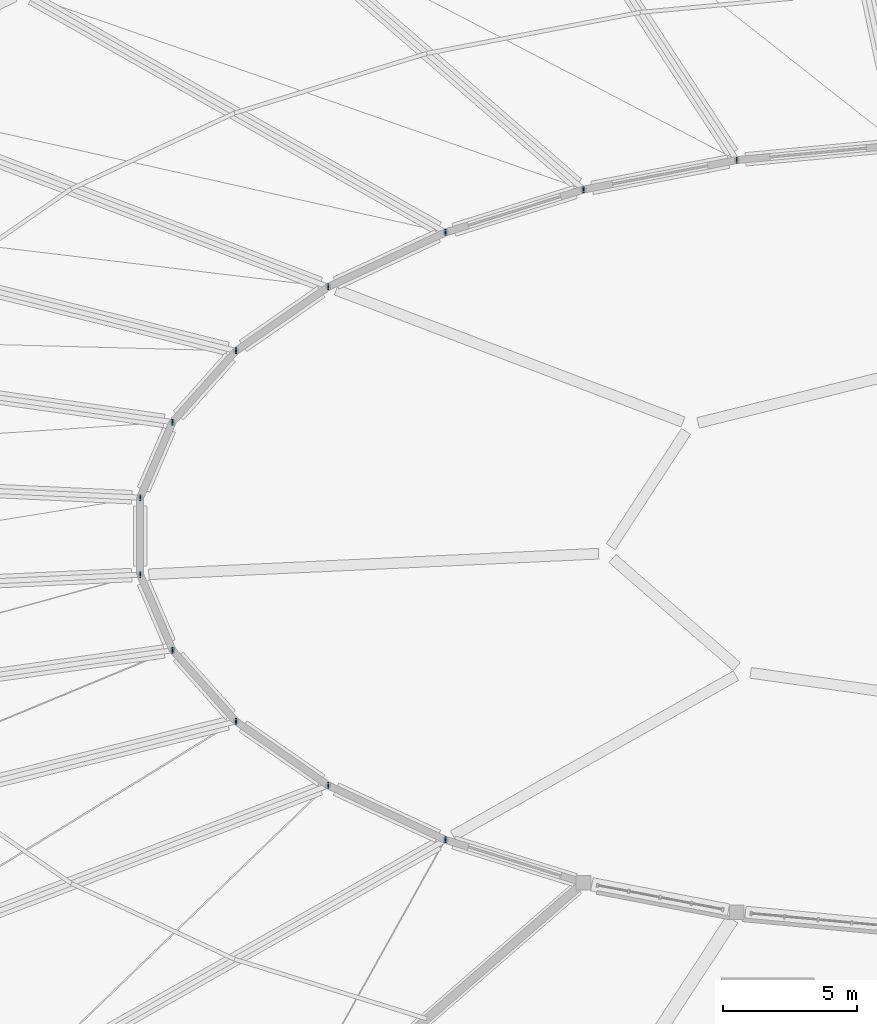
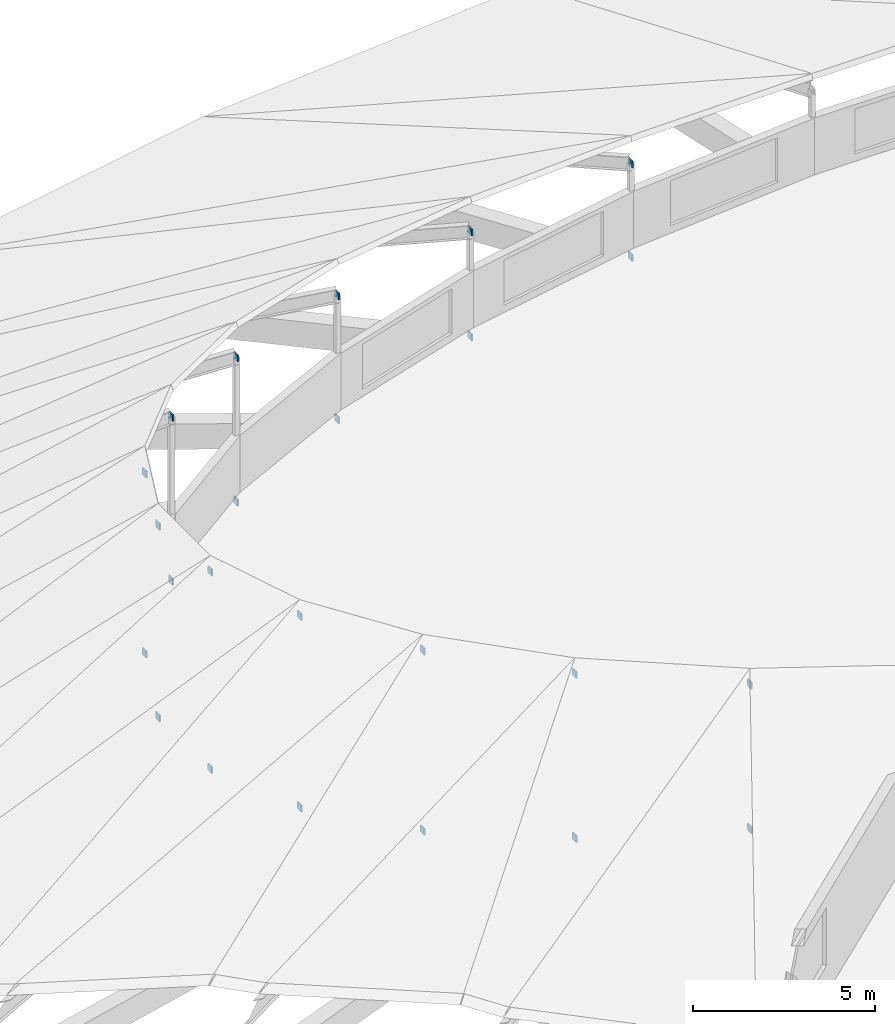
# One storey, part 93 of 142: 24 plates.
"""IFC4 building model written with IfcOpenShell, lengths in metres."""

from ifc_helpers import new_model, si_unit, direction, frame, origin, origin_2d, place, context, subcontext, project, spatial, rectangle, extrude, material, layer, layer_set, type_object, element, save


model = new_model("IFC4")

# Units and contexts
model_context = context("Model", 3, precision=1e-05, world=origin(), true_north=direction((0.0, 1.0)))
body_context = subcontext(model_context, "Body", "Model", "MODEL_VIEW")
ifc_project = project(units=[si_unit("LENGTHUNIT", "METRE"), si_unit("AREAUNIT", "SQUARE_METRE"), si_unit("VOLUMEUNIT", "CUBIC_METRE"), si_unit("PLANEANGLEUNIT", "RADIAN"), si_unit("MASSUNIT", "GRAM", prefix="KILO")], contexts=[model_context])

# Site, building, storey
site_placement = place(None, origin())
site = spatial("IfcSite", under=ifc_project, at=site_placement, CompositionType="ELEMENT")
building_placement = place(site_placement, origin())
building = spatial("IfcBuilding", under=site, at=building_placement, Name="Corvandel Quay Wholesale Market", CompositionType="ELEMENT")
storey_placement = place(building_placement, frame((0.0, 0.0, 10.800048828125)))
storey = spatial("IfcBuildingStorey", under=building, at=storey_placement, Name="L02", CompositionType="ELEMENT", Elevation=10.800048828125)

# Plates
ifc_material = material(Name="Steel A572 Grade 50", Category="steel")
ifc_layer = layer(ifc_material, 0.044921875)
ifc_layer_set = layer_set([ifc_layer], Name="Steel A572 Grade 50")
plate_type = type_object("IfcPlateType", Name="Steel Brace End Cap Plate PLT02 45mm", PredefinedType="SHEET", material=ifc_layer_set)
for number, where, z_axis, x_axis, name in (
    (1, (104.85302734375, 130.0, -0.4482421875), (0.0, 0.0, 1.0), (0.0, 1.0, 0.0), "HSS Cap Plate PLT-0007"),
    (2, (104.85302734375, 130.0, 2.68212890625), (0.0, 0.0, 1.0), (0.0, 1.0, 0.0), "HSS Cap Plate PLT-0008"),
    (3, (99.14501953125, 128.903076171875, -0.4482421875), (0.0, 0.0, 1.0), (0.0, 1.0, 0.0), "HSS Cap Plate PLT-0009"),
    (4, (99.14501953125, 128.903076171875, 3.06884765625), (0.0, 0.0, 1.0), (0.0, 1.0, 0.0), "HSS Cap Plate PLT-0010"),
    (5, (94.009033203125, 127.30908203125, -0.4482421875), (0.0, 0.0, 1.0), (0.0, 1.0, 0.0), "HSS Cap Plate PLT-0011"),
    (6, (94.009033203125, 127.30908203125, 3.68994140625), (0.0, 0.0, 1.0), (0.0, 1.0, 0.0), "HSS Cap Plate PLT-0012"),
    (7, (89.64111328125, 125.281005859375, -0.4482421875), (0.0, 0.0, 1.0), (0.0, 1.0, 0.0), "HSS Cap Plate PLT-0013"),
    (8, (89.64111328125, 125.281005859375, 4.3837890625), (0.0, 0.0, 1.0), (0.0, 1.0, 0.0), "HSS Cap Plate PLT-0014"),
    (9, (86.208984375, 122.89697265625, -0.4482421875), (0.0, 0.0, 1.0), (0.0, 1.0, 0.0), "HSS Cap Plate PLT-0015"),
    (10, (86.208984375, 122.89697265625, 5.0361328125), (0.0, 0.0, 1.0), (0.0, 1.0, 0.0), "HSS Cap Plate PLT-0016"),
    (11, (83.844970703125, 120.2470703125, -0.4482421875), (0.0, 0.0, 1.0), (0.0, 1.0, 0.0), "HSS Cap Plate PLT-0017"),
    (12, (83.844970703125, 120.2470703125, 5.576171875), (0.0, 0.0, 1.0), (0.0, 1.0, 0.0), "HSS Cap Plate PLT-0018"),
    (13, (82.639892578125, 117.43408203125, -0.4482421875), (0.0, 0.0, 1.0), (0.0, 1.0, 0.0), "HSS Cap Plate PLT-0019"),
    (14, (82.639892578125, 117.43408203125, 5.958984375), (0.0, 0.0, 1.0), (0.0, 1.0, 0.0), "HSS Cap Plate PLT-0020"),
    (15, (82.639892578125, 114.56591796875, -0.4482421875), (0.0, 0.0, 1.0), (0.0, 1.0, 0.0), "HSS Cap Plate PLT-0021"),
    (16, (82.639892578125, 114.56591796875, 6.15673828125), (0.0, 0.0, 1.0), (0.0, 1.0, 0.0), "HSS Cap Plate PLT-0022"),
    (17, (83.844970703125, 111.7529296875, -0.4482421875), (0.0, 0.0, 1.0), (0.0, 1.0, 0.0), "HSS Cap Plate PLT-0023"),
    (18, (83.844970703125, 111.7529296875, 5.958984375), (0.0, 0.0, 1.0), (0.0, 1.0, 0.0), "HSS Cap Plate PLT-0024"),
    (19, (86.208984375, 109.10302734375, -0.4482421875), (0.0, 0.0, 1.0), (0.0, 1.0, 0.0), "HSS Cap Plate PLT-0025"),
    (20, (86.208984375, 109.10302734375, 5.576171875), (0.0, 0.0, 1.0), (0.0, 1.0, 0.0), "HSS Cap Plate PLT-0026"),
    (21, (89.64111328125, 106.718994140625, -0.4482421875), (0.0, 0.0, 1.0), (0.0, 1.0, 0.0), "HSS Cap Plate PLT-0027"),
    (22, (89.64111328125, 106.718994140625, 5.0361328125), (0.0, 0.0, 1.0), (0.0, 1.0, 0.0), "HSS Cap Plate PLT-0028"),
    (23, (94.009033203125, 104.69091796875, -0.4482421875), (0.0, 0.0, 1.0), (0.0, 1.0, 0.0), "HSS Cap Plate PLT-0029"),
    (24, (94.009033203125, 104.69091796875, 4.3837890625), (0.0, 0.0, 1.0), (0.0, 1.0, 0.0), "HSS Cap Plate PLT-0030"),
):
    element("IfcPlate", number, at=place(storey_placement, frame(where, z_axis=z_axis, x_axis=x_axis)), inside=storey, type_object=plate_type, Name=name, PredefinedType="SHEET", context=body_context, shape_type="SweptSolid", body=[
        extrude(rectangle(XDim=0.219970703125, YDim=0.044921875, at=origin_2d()), origin(), (0.0, 0.0, 1.0), 0.219970703125),
    ])

save(model, "model.ifc")
